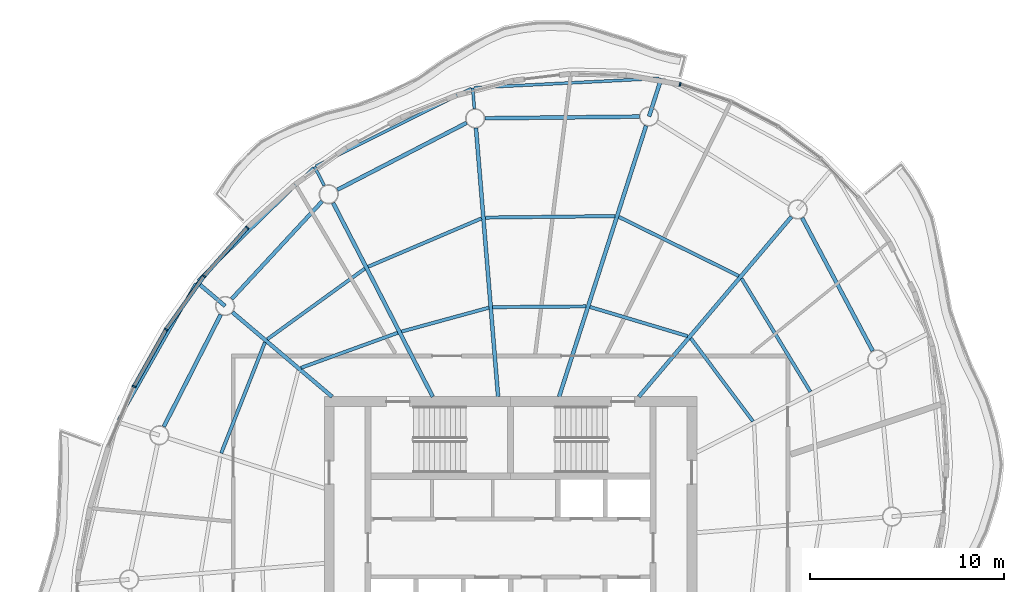
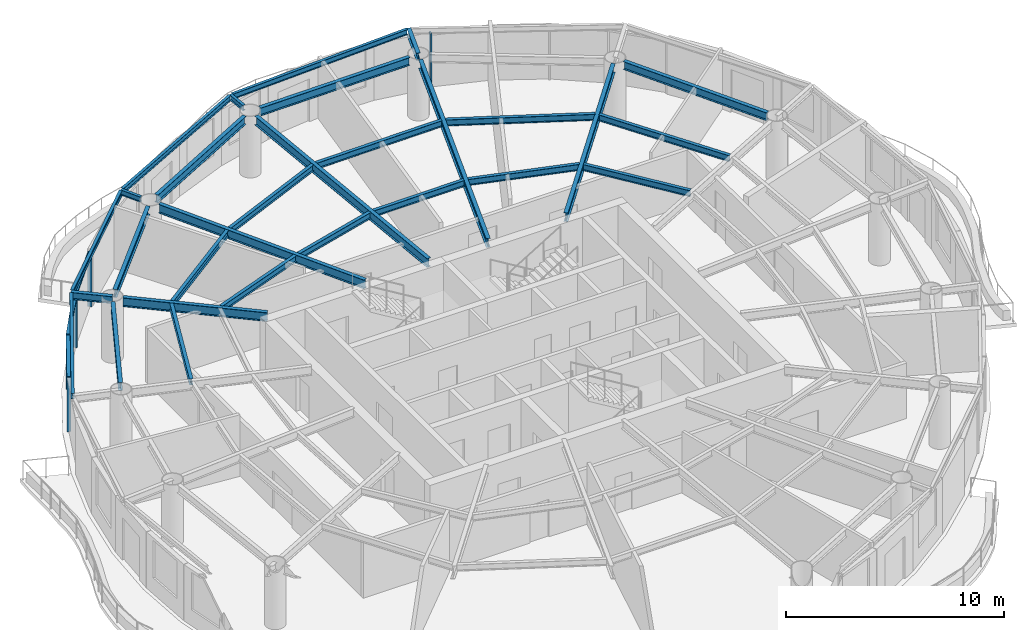
# One storey, part 5 of 14: 29 beams, 8 members, 5 elements without a shape of their own.
"""IFC4 building model written with IfcOpenShell, lengths in metres."""

from ifc_helpers import new_model, si_unit, direction, frame, origin, origin_2d, place, context, subcontext, project, spatial, rectangle, i_section, extrude, material, material_profile, profile_set, type_object, element, aggregate, save


model = new_model("IFC4")

# Units and contexts
model_context = context("Model", 3, precision=1e-05, world=origin(), true_north=direction((0.0, 1.0)))
body_context = subcontext(model_context, "Body", "Model", "MODEL_VIEW")
ifc_project = project(units=[si_unit("LENGTHUNIT", "METRE"), si_unit("AREAUNIT", "SQUARE_METRE"), si_unit("VOLUMEUNIT", "CUBIC_METRE"), si_unit("PLANEANGLEUNIT", "RADIAN"), si_unit("MASSUNIT", "GRAM", prefix="KILO")], contexts=[model_context])

# Site, building, storey
site_placement = place(None, origin())
site = spatial("IfcSite", under=ifc_project, at=site_placement, CompositionType="ELEMENT")
building_placement = place(site_placement, origin())
building = spatial("IfcBuilding", under=site, at=building_placement, Name="Vermilion Reach Broadcast Tower", CompositionType="ELEMENT")
storey_placement = place(building_placement, frame((0.0, 0.0, 264.89990234375)))
storey = spatial("IfcBuildingStorey", under=building, at=storey_placement, Name="L65", CompositionType="ELEMENT", Elevation=264.89990234375)

# Beams
ifc_material_1 = material(Name="Steel S355J2", Category="steel")
ifc_material_profile_1 = material_profile(ifc_material_1, i_section(OverallWidth=0.14990234375, OverallDepth=0.300048828125, WebThickness=0.006591796875, FlangeThickness=0.009033203125, at=origin_2d()), Name="S355J2 HN 300x150x6.5x9")
ifc_profile_set_1 = profile_set([ifc_material_profile_1], Name="Steel S355J2")
beam_type_1 = type_object("IfcBeamType", Name="EB5 HN 300x150x6.5x9", PredefinedType="BEAM", material=ifc_profile_set_1)
beam_1_placement = place(storey_placement, frame((1.663818359375, 24.211669921875, 3.300048828125), z_axis=(-0.998715758039, -0.050663938301, 0.0), x_axis=(0.050663938301, -0.998715758039, 0.0)))
element("IfcBeam", 1, at=beam_1_placement, inside=storey, type_object=beam_type_1, Name="Edge beam EB5-01", PredefinedType="BEAM", context=body_context, shape_type="SweptSolid", body=[
    extrude(i_section(OverallWidth=0.14990234375, OverallDepth=0.300048828125, WebThickness=0.006591796875, FlangeThickness=0.009033203125, at=origin_2d()), origin(), (0.0, 0.0, 1.0), 9.5556640625),
])
beam_2_placement = place(storey_placement, frame((-8.02685546875, 23.687744140625, 3.300048828125), z_axis=(-0.894677889478, -0.446711846809, 0.0), x_axis=(0.446711846809, -0.894677889478, 0.0)))
element("IfcBeam", 2, at=beam_2_placement, inside=storey, type_object=beam_type_1, Name="Edge beam EB5-02", PredefinedType="BEAM", context=body_context, shape_type="SweptSolid", body=[
    extrude(i_section(OverallWidth=0.14990234375, OverallDepth=0.300048828125, WebThickness=0.006591796875, FlangeThickness=0.009033203125, at=origin_2d()), origin(), (0.0, 0.0, 1.0), 8.954345703125),
])
beam_3_placement = place(storey_placement, frame((-16.161376953125, 19.599365234375, 3.300048828125), z_axis=(-0.715279586672, -0.698838402559, 0.0), x_axis=(0.698838402559, -0.715279586672, 0.0)))
element("IfcBeam", 3, at=beam_3_placement, inside=storey, type_object=beam_type_1, Name="Edge beam EB5-03", PredefinedType="BEAM", context=body_context, shape_type="SweptSolid", body=[
    extrude(i_section(OverallWidth=0.14990234375, OverallDepth=0.300048828125, WebThickness=0.006591796875, FlangeThickness=0.009033203125, at=origin_2d()), origin(), (0.0, 0.0, 1.0), 8.315673828125),
])
beam_4_placement = place(storey_placement, frame((-22.2314453125, 13.62939453125, 3.300048828125), z_axis=(-0.49302475796, -0.870015280348, 0.0), x_axis=(0.870015280348, -0.49302475796, 0.0)))
element("IfcBeam", 4, at=beam_4_placement, inside=storey, type_object=beam_type_1, Name="Edge beam EB5-04", PredefinedType="BEAM", context=body_context, shape_type="SweptSolid", body=[
    extrude(i_section(OverallWidth=0.14990234375, OverallDepth=0.300048828125, WebThickness=0.006591796875, FlangeThickness=0.009033203125, at=origin_2d()), origin(), (0.0, 0.0, 1.0), 8.087890625),
])
ifc_material_2 = material(Name="Steel S355J2", Category="steel")
ifc_material_profile_2 = material_profile(ifc_material_2, i_section(OverallWidth=0.199951171875, OverallDepth=0.5, WebThickness=0.010009765625, FlangeThickness=0.01611328125, at=origin_2d()), Name="S355J2 HN 500x200x10x16")
ifc_profile_set_2 = profile_set([ifc_material_profile_2], Name="Steel S355J2")
beam_type_2 = type_object("IfcBeamType", Name="G5 HN 500x200x10x16", PredefinedType="BEAM", material=ifc_profile_set_2)
beam_5_placement = place(storey_placement, frame((-3.497314453125, 7.800048828125, 3.2001953125), z_axis=(0.305545401295, 0.952177508528, 0.0), x_axis=(-0.952177508528, 0.305545401295, 0.0)))
element("IfcBeam", 5, at=beam_5_placement, inside=storey, type_object=beam_type_2, Name="Girder G5-01", PredefinedType="BEAM", context=body_context, shape_type="SweptSolid", body=[
    extrude(i_section(OverallWidth=0.199951171875, OverallDepth=0.5, WebThickness=0.010009765625, FlangeThickness=0.01611328125, at=origin_2d()), origin(), (0.0, 0.0, 1.0), 14.672607421875),
])
beam_6_placement = place(storey_placement, frame((-6.642578125, 7.800048828125, 3.2001953125), z_axis=(-0.082123744247, 0.996622140347, 0.0), x_axis=(-0.996622140347, -0.082123744247, 0.0)))
element("IfcBeam", 6, at=beam_6_placement, inside=storey, type_object=beam_type_2, Name="Girder G5-02", PredefinedType="BEAM", context=body_context, shape_type="SweptSolid", body=[
    extrude(i_section(OverallWidth=0.199951171875, OverallDepth=0.5, WebThickness=0.010009765625, FlangeThickness=0.01611328125, at=origin_2d()), origin(), (0.0, 0.0, 1.0), 13.89794921875),
])
beam_7_placement = place(storey_placement, frame((-10.010498046875, 7.800048828125, 3.2001953125), z_axis=(-0.457258168112, 0.889334002327, 0.0), x_axis=(-0.889334002327, -0.457258168112, 0.0)))
element("IfcBeam", 7, at=beam_7_placement, inside=storey, type_object=beam_type_2, Name="Girder G5-03", PredefinedType="BEAM", context=body_context, shape_type="SweptSolid", body=[
    extrude(i_section(OverallWidth=0.199951171875, OverallDepth=0.5, WebThickness=0.010009765625, FlangeThickness=0.01611328125, at=origin_2d()), origin(), (0.0, 0.0, 1.0), 11.236328125),
])
beam_8_placement = place(storey_placement, frame((-15.20068359375, 7.800048828125, 3.2001953125), z_axis=(-0.762793125612, 0.646642596431, 0.0), x_axis=(-0.646642596431, -0.762793125612, 0.0)))
element("IfcBeam", 8, at=beam_8_placement, inside=storey, type_object=beam_type_2, Name="Girder G5-04", PredefinedType="BEAM", context=body_context, shape_type="SweptSolid", body=[
    extrude(i_section(OverallWidth=0.199951171875, OverallDepth=0.5, WebThickness=0.010009765625, FlangeThickness=0.01611328125, at=origin_2d()), origin(), (0.0, 0.0, 1.0), 6.732421875),
])
beam_9_placement = place(storey_placement, frame((0.612548828125, 7.800048828125, 3.2001953125), z_axis=(0.646658335602, 0.762779782766, 0.0), x_axis=(-0.762779782766, 0.646658335602, 0.0)))
element("IfcBeam", 9, at=beam_9_placement, inside=storey, type_object=beam_type_2, Name="Girder G5-16", PredefinedType="BEAM", context=body_context, shape_type="SweptSolid", body=[
    extrude(i_section(OverallWidth=0.199951171875, OverallDepth=0.5, WebThickness=0.010009765625, FlangeThickness=0.01611328125, at=origin_2d()), origin(), (0.0, 0.0, 1.0), 12.16064453125),
])
ifc_material_3 = material(Name="Steel S355J2", Category="steel")
ifc_material_profile_3 = material_profile(ifc_material_3, i_section(OverallWidth=0.199951171875, OverallDepth=0.39990234375, WebThickness=0.008056640625, FlangeThickness=0.012939453125, at=origin_2d()), Name="S355J2 HN 400x200x8x13")
ifc_profile_set_3 = profile_set([ifc_material_profile_3], Name="Steel S355J2")
beam_type_3 = type_object("IfcBeamType", Name="GC5 HN 400x200x8x13", PredefinedType="BEAM", material=ifc_profile_set_3)
beam_10_placement = place(storey_placement, frame((1.138427734375, 22.2470703125, 3.25), z_axis=(0.305516380969, 0.952186820409, 0.0), x_axis=(-0.952186820409, 0.305516380969, 0.0)))
element("IfcBeam", 10, at=beam_10_placement, inside=storey, type_object=beam_type_3, Name="Cantilever girder GC5-01", PredefinedType="BEAM", context=body_context, shape_type="SweptSolid", body=[
    extrude(i_section(OverallWidth=0.199951171875, OverallDepth=0.39990234375, WebThickness=0.008056640625, FlangeThickness=0.012939453125, at=origin_2d()), origin(), (0.0, 0.0, 1.0), 2.06884765625),
])
beam_11_placement = place(storey_placement, frame((-20.717529296875, 12.476806640625, 3.25), z_axis=(-0.762739227349, 0.646706170578, 0.0), x_axis=(-0.646706170578, -0.762739227349, 0.0)))
element("IfcBeam", 11, at=beam_11_placement, inside=storey, type_object=beam_type_3, Name="Cantilever girder GC5-04", PredefinedType="BEAM", context=body_context, shape_type="SweptSolid", body=[
    extrude(i_section(OverallWidth=0.199951171875, OverallDepth=0.39990234375, WebThickness=0.008056640625, FlangeThickness=0.012939453125, at=origin_2d()), origin(), (0.0, 0.0, 1.0), 1.9189453125),
])
ifc_material_4 = material(Name="Steel S355J2", Category="steel")
ifc_material_profile_4 = material_profile(ifc_material_4, i_section(OverallWidth=0.14990234375, OverallDepth=0.300048828125, WebThickness=0.006591796875, FlangeThickness=0.009033203125, at=origin_2d()), Name="S355J2 HN 300x150x6.5x9")
ifc_profile_set_4 = profile_set([ifc_material_profile_4], Name="Steel S355J2")
beam_type_4 = type_object("IfcBeamType", Name="GS5 HN 300x150x6.5x9", PredefinedType="BEAM", material=ifc_profile_set_4)
beam_12_placement = place(storey_placement, frame((-7.865966796875, 22.647705078125, 3.300048828125), z_axis=(-0.082072452518, 0.996626365564, 0.0), x_axis=(-0.996626365564, -0.082072452518, 0.0)))
element("IfcBeam", 12, at=beam_12_placement, inside=storey, type_object=beam_type_4, Name="Cantilever stub GS5-02", PredefinedType="BEAM", context=body_context, shape_type="SweptSolid", body=[
    extrude(i_section(OverallWidth=0.14990234375, OverallDepth=0.300048828125, WebThickness=0.006591796875, FlangeThickness=0.009033203125, at=origin_2d()), origin(), (0.0, 0.0, 1.0), 1.079833984375),
])
beam_13_placement = place(storey_placement, frame((-15.60546875, 18.682373046875, 3.300048828125), z_axis=(-0.457282392828, 0.889321546579, 0.0), x_axis=(-0.889321546579, -0.457282392828, 0.0)))
element("IfcBeam", 13, at=beam_13_placement, inside=storey, type_object=beam_type_4, Name="Cantilever stub GS5-03", PredefinedType="BEAM", context=body_context, shape_type="SweptSolid", body=[
    extrude(i_section(OverallWidth=0.14990234375, OverallDepth=0.300048828125, WebThickness=0.006591796875, FlangeThickness=0.009033203125, at=origin_2d()), origin(), (0.0, 0.0, 1.0), 1.0927734375),
])
ifc_material_5 = material(Name="Steel S355J2", Category="steel")
ifc_material_profile_5 = material_profile(ifc_material_5, i_section(OverallWidth=0.199951171875, OverallDepth=0.449951171875, WebThickness=0.009033203125, FlangeThickness=0.013916015625, at=origin_2d()), Name="S355J2 HN 450x200x9x14")
ifc_profile_set_5 = profile_set([ifc_material_profile_5], Name="Steel S355J2")
beam_type_5 = type_object("IfcBeamType", Name="RB5 HN 450x200x9x14", PredefinedType="BEAM", material=ifc_profile_set_5)
beam_14_placement = place(storey_placement, frame((0.638427734375, 22.24169921875, 3.22509765625), z_axis=(-0.999940445231, -0.010913569149, 0.0), x_axis=(0.010913569149, -0.999940445231, 0.0)))
element("IfcBeam", 14, at=beam_14_placement, inside=storey, type_object=beam_type_5, Name="Ring beam RB5-01", PredefinedType="BEAM", context=body_context, shape_type="SweptSolid", body=[
    extrude(i_section(OverallWidth=0.199951171875, OverallDepth=0.449951171875, WebThickness=0.009033203125, FlangeThickness=0.013916015625, at=origin_2d()), origin(), (0.0, 0.0, 1.0), 7.9638671875),
])
beam_15_placement = place(storey_placement, frame((-8.268798828125, 21.91943359375, 3.22509765625), z_axis=(-0.887960248279, -0.459920207729, 0.0), x_axis=(0.459920207729, -0.887960248279, 0.0)))
element("IfcBeam", 15, at=beam_15_placement, inside=storey, type_object=beam_type_5, Name="Ring beam RB5-02", PredefinedType="BEAM", context=body_context, shape_type="SweptSolid", body=[
    extrude(i_section(OverallWidth=0.199951171875, OverallDepth=0.449951171875, WebThickness=0.009033203125, FlangeThickness=0.013916015625, at=origin_2d()), origin(), (0.0, 0.0, 1.0), 7.5048828125),
])
beam_16_placement = place(storey_placement, frame((-15.716796875, 17.87109375, 3.22509765625), z_axis=(-0.679837550075, -0.733362738014, 0.0), x_axis=(0.733362738014, -0.679837550075, 0.0)))
element("IfcBeam", 16, at=beam_16_placement, inside=storey, type_object=beam_type_5, Name="Ring beam RB5-03", PredefinedType="BEAM", context=body_context, shape_type="SweptSolid", body=[
    extrude(i_section(OverallWidth=0.199951171875, OverallDepth=0.449951171875, WebThickness=0.009033203125, FlangeThickness=0.013916015625, at=origin_2d()), origin(), (0.0, 0.0, 1.0), 6.85546875),
])
beam_17_placement = place(storey_placement, frame((-20.944091796875, 12.03125, 3.22509765625), z_axis=(-0.453052302855, -0.891483937532, 0.0), x_axis=(0.891483937532, -0.453052302855, 0.0)))
element("IfcBeam", 17, at=beam_17_placement, inside=storey, type_object=beam_type_5, Name="Ring beam RB5-04", PredefinedType="BEAM", context=body_context, shape_type="SweptSolid", body=[
    extrude(i_section(OverallWidth=0.199951171875, OverallDepth=0.449951171875, WebThickness=0.009033203125, FlangeThickness=0.013916015625, at=origin_2d()), origin(), (0.0, 0.0, 1.0), 6.47900390625),
])
beam_18_placement = place(storey_placement, frame((12.671142578125, 10.161865234375, 3.22509765625), z_axis=(-0.468767917375, 0.883321368269, 0.0), x_axis=(-0.883321368269, -0.468767917375, 0.0)))
element("IfcBeam", 18, at=beam_18_placement, inside=storey, type_object=beam_type_5, Name="Ring beam RB5-15", PredefinedType="BEAM", context=body_context, shape_type="SweptSolid", body=[
    extrude(i_section(OverallWidth=0.199951171875, OverallDepth=0.449951171875, WebThickness=0.009033203125, FlangeThickness=0.013916015625, at=origin_2d()), origin(), (0.0, 0.0, 1.0), 7.759033203125),
])
ifc_material_6 = material(Name="Steel S355J2", Category="steel")
ifc_material_profile_6 = material_profile(ifc_material_6, i_section(OverallWidth=0.175048828125, OverallDepth=0.35009765625, WebThickness=0.007080078125, FlangeThickness=0.010986328125, at=origin_2d()), Name="S355J2 HN 350x175x7x11")
ifc_profile_set_6 = profile_set([ifc_material_profile_6], Name="Steel S355J2")
beam_type_6 = type_object("IfcBeamType", Name="SB5 HN 350x175x7x11", PredefinedType="BEAM", material=ifc_profile_set_6)
beam_19_placement = place(storey_placement, frame((-2.108154296875, 12.4560546875, 3.275146484375), z_axis=(-0.999968312294, -0.007960804474, 0.0), x_axis=(0.007960804474, -0.999968312294, 0.0)))
element("IfcBeam", 19, at=beam_19_placement, inside=storey, type_object=beam_type_6, Name="Secondary beam SB5-01-1", PredefinedType="BEAM", context=body_context, shape_type="SweptSolid", body=[
    extrude(i_section(OverallWidth=0.175048828125, OverallDepth=0.35009765625, WebThickness=0.007080078125, FlangeThickness=0.010986328125, at=origin_2d()), origin(), (0.0, 0.0, 1.0), 4.81494140625),
])
beam_20_placement = place(storey_placement, frame((-0.614013671875, 17.11279296875, 3.275146484375), z_axis=(-0.999932654133, -0.011605481368, 0.0), x_axis=(0.011605481368, -0.999932654133, 0.0)))
element("IfcBeam", 20, at=beam_20_placement, inside=storey, type_object=beam_type_6, Name="Secondary beam SB5-01-2", PredefinedType="BEAM", context=body_context, shape_type="SweptSolid", body=[
    extrude(i_section(OverallWidth=0.175048828125, OverallDepth=0.35009765625, WebThickness=0.007080078125, FlangeThickness=0.010986328125, at=origin_2d()), origin(), (0.0, 0.0, 1.0), 6.689697265625),
])
beam_21_placement = place(storey_placement, frame((-7.12109375, 12.39013671875, 3.275146484375), z_axis=(-0.964547496851, -0.263909314573, 0.0), x_axis=(0.263909314573, -0.964547496851, 0.0)))
element("IfcBeam", 21, at=beam_21_placement, inside=storey, type_object=beam_type_6, Name="Secondary beam SB5-02-1", PredefinedType="BEAM", context=body_context, shape_type="SweptSolid", body=[
    extrude(i_section(OverallWidth=0.175048828125, OverallDepth=0.35009765625, WebThickness=0.007080078125, FlangeThickness=0.010986328125, at=origin_2d()), origin(), (0.0, 0.0, 1.0), 4.6689453125),
])
beam_22_placement = place(storey_placement, frame((-7.50048828125, 16.99267578125, 3.275146484375), z_axis=(-0.919880986172, -0.392197617637, 0.0), x_axis=(0.392197617637, -0.919880986172, 0.0)))
element("IfcBeam", 22, at=beam_22_placement, inside=storey, type_object=beam_type_6, Name="Secondary beam SB5-02-2", PredefinedType="BEAM", context=body_context, shape_type="SweptSolid", body=[
    extrude(i_section(OverallWidth=0.175048828125, OverallDepth=0.35009765625, WebThickness=0.007080078125, FlangeThickness=0.010986328125, at=origin_2d()), origin(), (0.0, 0.0, 1.0), 6.351806640625),
])
beam_23_placement = place(storey_placement, frame((-11.81787109375, 11.0966796875, 3.275146484375), z_axis=(-0.940220108875, -0.340567389613, 0.0), x_axis=(0.340567389613, -0.940220108875, 0.0)))
element("IfcBeam", 23, at=beam_23_placement, inside=storey, type_object=beam_type_6, Name="Secondary beam SB5-03-1", PredefinedType="BEAM", context=body_context, shape_type="SweptSolid", body=[
    extrude(i_section(OverallWidth=0.175048828125, OverallDepth=0.35009765625, WebThickness=0.007080078125, FlangeThickness=0.010986328125, at=origin_2d()), origin(), (0.0, 0.0, 1.0), 5.303466796875),
])
beam_24_placement = place(storey_placement, frame((-13.517578125, 14.402587890625, 3.275146484375), z_axis=(-0.809771251518, -0.586745703192, 0.0), x_axis=(0.586745703192, -0.809771251518, 0.0)))
element("IfcBeam", 24, at=beam_24_placement, inside=storey, type_object=beam_type_6, Name="Secondary beam SB5-03-2", PredefinedType="BEAM", context=body_context, shape_type="SweptSolid", body=[
    extrude(i_section(OverallWidth=0.175048828125, OverallDepth=0.35009765625, WebThickness=0.007080078125, FlangeThickness=0.010986328125, at=origin_2d()), origin(), (0.0, 0.0, 1.0), 6.20361328125),
])
beam_25_placement = place(storey_placement, frame((-18.6630859375, 10.604248046875, 3.275146484375), z_axis=(-0.366931189603, -0.930248086317, 0.0), x_axis=(0.930248086317, -0.366931189603, 0.0)))
element("IfcBeam", 25, at=beam_25_placement, inside=storey, type_object=beam_type_6, Name="Secondary beam SB5-04-2", PredefinedType="BEAM", context=body_context, shape_type="SweptSolid", body=[
    extrude(i_section(OverallWidth=0.175048828125, OverallDepth=0.35009765625, WebThickness=0.007080078125, FlangeThickness=0.010986328125, at=origin_2d()), origin(), (0.0, 0.0, 1.0), 6.141357421875),
])
beam_26_placement = place(storey_placement, frame((6.492919921875, 6.53564453125, 3.275146484375), z_axis=(-0.599055582645, 0.800707442767, 0.0), x_axis=(-0.800707442767, -0.599055582645, 0.0)))
element("IfcBeam", 26, at=beam_26_placement, inside=storey, type_object=beam_type_6, Name="Secondary beam SB5-15-1", PredefinedType="BEAM", context=body_context, shape_type="SweptSolid", body=[
    extrude(i_section(OverallWidth=0.175048828125, OverallDepth=0.35009765625, WebThickness=0.007080078125, FlangeThickness=0.010986328125, at=origin_2d()), origin(), (0.0, 0.0, 1.0), 5.337890625),
])
beam_27_placement = place(storey_placement, frame((9.455078125, 8.058837890625, 3.275146484375), z_axis=(-0.519272962556, 0.854608442714, 0.0), x_axis=(-0.854608442714, -0.519272962556, 0.0)))
element("IfcBeam", 27, at=beam_27_placement, inside=storey, type_object=beam_type_6, Name="Secondary beam SB5-15-2", PredefinedType="BEAM", context=body_context, shape_type="SweptSolid", body=[
    extrude(i_section(OverallWidth=0.175048828125, OverallDepth=0.35009765625, WebThickness=0.007080078125, FlangeThickness=0.010986328125, at=origin_2d()), origin(), (0.0, 0.0, 1.0), 6.82763671875),
])
beam_28_placement = place(storey_placement, frame((3.129150390625, 10.92333984375, 3.275146484375), z_axis=(-0.958124906971, 0.286350593925, 0.0), x_axis=(-0.286350593925, -0.958124906971, 0.0)))
element("IfcBeam", 28, at=beam_28_placement, inside=storey, type_object=beam_type_6, Name="Secondary beam SB5-16-1", PredefinedType="BEAM", context=body_context, shape_type="SweptSolid", body=[
    extrude(i_section(OverallWidth=0.175048828125, OverallDepth=0.35009765625, WebThickness=0.007080078125, FlangeThickness=0.010986328125, at=origin_2d()), origin(), (0.0, 0.0, 1.0), 5.25634765625),
])
beam_29_placement = place(storey_placement, frame((5.762451171875, 14.029541015625, 3.275146484375), z_axis=(-0.897335928087, 0.441348198325, 0.0), x_axis=(-0.441348198325, -0.897335928087, 0.0)))
element("IfcBeam", 29, at=beam_29_placement, inside=storey, type_object=beam_type_6, Name="Secondary beam SB5-16-2", PredefinedType="BEAM", context=body_context, shape_type="SweptSolid", body=[
    extrude(i_section(OverallWidth=0.175048828125, OverallDepth=0.35009765625, WebThickness=0.007080078125, FlangeThickness=0.010986328125, at=origin_2d()), origin(), (0.0, 0.0, 1.0), 6.887451171875),
])

# Curtain wall, member
ifc_material_7 = material(Name="Low-e laminated clear glass in aluminium frame", Category="aluminium")
curtain_wall_type = type_object("IfcCurtainWallType", Name="Slot curtain wall", PredefinedType="NOTDEFINED", material=ifc_material_7)
placement = place(storey_placement, origin())
curtain_wall_1 = element("IfcCurtainWall", 30, at=placement, inside=storey, type_object=curtain_wall_type, Name="Slot curtain wall L65 01", PredefinedType="NOTDEFINED")
ifc_material_8 = material(Name="Anodised aluminium", Category="aluminium")
ifc_material_profile_7 = material_profile(ifc_material_8, rectangle(XDim=0.199951171875, YDim=0.080078125, at=origin_2d()), Name="Slot mullion 80 x 200")
ifc_profile_set_7 = profile_set([ifc_material_profile_7], Name="Anodised aluminium")
member_type_1 = type_object("IfcMemberType", Name="Slot mullion 80 x 200", PredefinedType="MULLION", material=ifc_profile_set_7)
member_1_placement = place(storey_placement, frame((2.738525390625, 23.900634765625, 0.0), z_axis=(0.0, 0.0, 1.0), x_axis=(-0.247447420309, -0.968901323243, 0.0)))
member_1 = element("IfcMember", 31, at=member_1_placement, type_object=member_type_1, Name="Slot mullion L65 02", PredefinedType="MULLION", context=body_context, shape_type="SweptSolid", body=[
    extrude(rectangle(XDim=0.199951171875, YDim=0.080078125, at=origin_2d()), origin(), (0.0, 0.0, 1.0), 3.050048828125),
])
aggregate(curtain_wall_1, [member_1])

curtain_wall_2 = element("IfcCurtainWall", 32, at=placement, inside=storey, type_object=curtain_wall_type, Name="Slot curtain wall L65 10", PredefinedType="NOTDEFINED")
member_2_placement = place(storey_placement, frame((-19.57568359375, 16.519775390625, 0.0), z_axis=(0.0, 0.0, 1.0), x_axis=(0.709558681492, -0.704646349256, 0.0)))
member_2 = element("IfcMember", 33, at=member_2_placement, type_object=member_type_1, Name="Slot mullion L65 10", PredefinedType="MULLION", context=body_context, shape_type="SweptSolid", body=[
    extrude(rectangle(XDim=0.199951171875, YDim=0.080078125, at=origin_2d()), origin(), (0.0, 0.0, 1.0), 3.050048828125),
])

curtain_wall_3 = element("IfcCurtainWall", 34, at=placement, inside=storey, type_object=curtain_wall_type, Name="Slot curtain wall L65 11", PredefinedType="NOTDEFINED")
member_3_placement = place(storey_placement, frame((-21.80322265625, 14.015625, 0.0), z_axis=(0.0, 0.0, 1.0), x_axis=(0.781891376588, -0.623414689606, 0.0)))
member_3 = element("IfcMember", 35, at=member_3_placement, type_object=member_type_1, Name="Slot mullion L65 11", PredefinedType="MULLION", context=body_context, shape_type="SweptSolid", body=[
    extrude(rectangle(XDim=0.199951171875, YDim=0.080078125, at=origin_2d()), origin(), (0.0, 0.0, 1.0), 3.050048828125),
])

curtain_wall_4 = element("IfcCurtainWall", 36, at=placement, inside=storey, type_object=curtain_wall_type, Name="Slot curtain wall L65 12", PredefinedType="NOTDEFINED")
member_4_placement = place(storey_placement, frame((-23.759521484375, 11.2705078125, 0.0), z_axis=(0.0, 0.0, 1.0), x_axis=(0.844327928532, -0.535826790204, 0.0)))
member_4 = element("IfcMember", 37, at=member_4_placement, type_object=member_type_1, Name="Slot mullion L65 12", PredefinedType="MULLION", context=body_context, shape_type="SweptSolid", body=[
    extrude(rectangle(XDim=0.199951171875, YDim=0.080078125, at=origin_2d()), origin(), (0.0, 0.0, 1.0), 3.050048828125),
])

curtain_wall_5 = element("IfcCurtainWall", 38, at=placement, inside=storey, type_object=curtain_wall_type, Name="Slot curtain wall L65 13", PredefinedType="NOTDEFINED")
member_5_placement = place(storey_placement, frame((-25.410400390625, 8.33154296875, 0.0), z_axis=(0.0, 0.0, 1.0), x_axis=(0.896995647795, -0.442039373628, 0.0)))
member_5 = element("IfcMember", 39, at=member_5_placement, type_object=member_type_1, Name="Slot mullion L65 13", PredefinedType="MULLION", context=body_context, shape_type="SweptSolid", body=[
    extrude(rectangle(XDim=0.199951171875, YDim=0.080078125, at=origin_2d()), origin(), (0.0, 0.0, 1.0), 3.050048828125),
])
aggregate(curtain_wall_5, [member_5])

# Member
ifc_material_9 = material(Name="Anodised aluminium", Category="aluminium")
ifc_material_profile_8 = material_profile(ifc_material_9, rectangle(XDim=0.199951171875, YDim=0.10009765625, at=origin_2d()), Name="Slot transom 200 x 100")
ifc_profile_set_8 = profile_set([ifc_material_profile_8], Name="Anodised aluminium")
member_type_2 = type_object("IfcMemberType", Name="Slot transom 200 x 100", PredefinedType="USERDEFINED", material=ifc_profile_set_8)
member_6_placement = place(storey_placement, frame((-19.602294921875, 16.48974609375, 3.0), z_axis=(-0.66466951568, -0.74713749399, 0.0), x_axis=(0.74713749399, -0.66466951568, 0.0)))
member_6 = element("IfcMember", 40, at=member_6_placement, type_object=member_type_2, Name="Slot transom L65 10.1", ObjectType="TRANSOM", PredefinedType="USERDEFINED", context=body_context, shape_type="SweptSolid", body=[
    extrude(rectangle(XDim=0.199951171875, YDim=0.10009765625, at=origin_2d()), origin(), (0.0, 0.0, 1.0), 3.271240234375),
])

aggregate(curtain_wall_2, [member_2, member_6])

member_7_placement = place(storey_placement, frame((-21.826416015625, 13.983154296875, 3.0), z_axis=(-0.580367663767, -0.814354575632, 0.0), x_axis=(0.814354575632, -0.580367663767, 0.0)))
member_7 = element("IfcMember", 41, at=member_7_placement, type_object=member_type_2, Name="Slot transom L65 11.1", ObjectType="TRANSOM", PredefinedType="USERDEFINED", context=body_context, shape_type="SweptSolid", body=[
    extrude(rectangle(XDim=0.199951171875, YDim=0.10009765625, at=origin_2d()), origin(), (0.0, 0.0, 1.0), 3.290771484375),
])

aggregate(curtain_wall_3, [member_3, member_7])

member_8_placement = place(storey_placement, frame((-23.779052734375, 11.235595703125, 3.0), z_axis=(-0.489782142531, -0.871844855956, 0.0), x_axis=(0.871844855956, -0.489782142531, 0.0)))
member_8 = element("IfcMember", 42, at=member_8_placement, type_object=member_type_2, Name="Slot transom L65 12.1", ObjectType="TRANSOM", PredefinedType="USERDEFINED", context=body_context, shape_type="SweptSolid", body=[
    extrude(rectangle(XDim=0.199951171875, YDim=0.10009765625, at=origin_2d()), origin(), (0.0, 0.0, 1.0), 3.290771484375),
])

aggregate(curtain_wall_4, [member_4, member_8])

save(model, "model.ifc")
